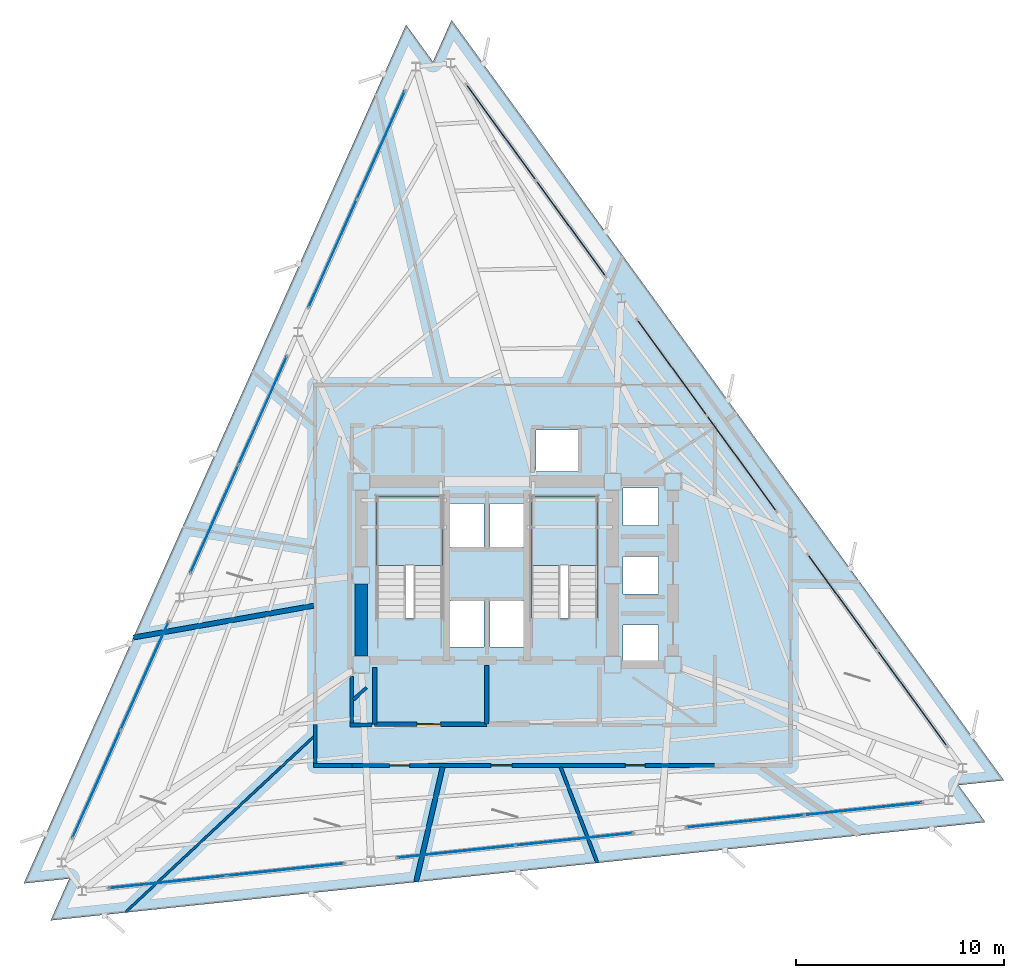
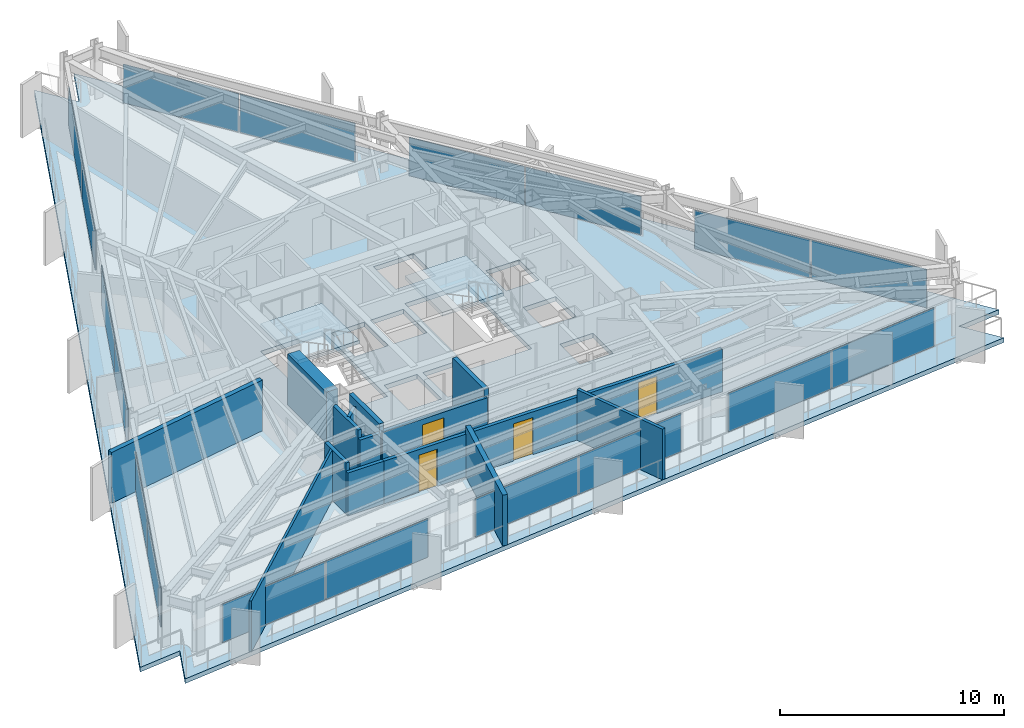
# One storey, part 7 of 12: 18 plates, 14 walls, 4 doors, 3 slabs, 4 openings, 11 elements without a shape of their own.
"""IFC4 building model written with IfcOpenShell, lengths in metres."""

from ifc_helpers import new_model, si_unit, direction, frame, frame_2d, origin, origin_2d, place, context, subcontext, project, spatial, polyline, rectangle, outline, extrude, material, layer, layer_set, type_object, element, fill, aggregate, save


model = new_model("IFC4")

# Units and contexts
model_context = context("Model", 3, precision=1e-05, world=origin(), true_north=direction((0.0, 1.0)))
body_context = subcontext(model_context, "Body", "Model", "MODEL_VIEW")
ifc_project = project(units=[si_unit("LENGTHUNIT", "METRE"), si_unit("AREAUNIT", "SQUARE_METRE"), si_unit("VOLUMEUNIT", "CUBIC_METRE"), si_unit("PLANEANGLEUNIT", "RADIAN"), si_unit("MASSUNIT", "GRAM", prefix="KILO")], contexts=[model_context])

# Site, building, storey
site_placement = place(None, origin())
site = spatial("IfcSite", under=ifc_project, at=site_placement, CompositionType="ELEMENT")
building_placement = place(site_placement, origin())
building = spatial("IfcBuilding", under=site, at=building_placement, Name="Rocaltana Carrier Exchange", CompositionType="ELEMENT")
storey_placement = place(building_placement, frame((0.0, 0.0, 113.760009765625)))
storey = spatial("IfcBuildingStorey", under=building, at=storey_placement, Name="L35", CompositionType="ELEMENT", Elevation=113.760009765625)

# Curtain wall, plates
ifc_material_1 = material(Name="Aluminium 6063-T6", Category="aluminium")
ifc_layer_1 = layer(ifc_material_1, 0.14990234375)
ifc_layer_set_1 = layer_set([ifc_layer_1], Name="Aluminium 6063-T6")
curtain_wall_type = type_object("IfcCurtainWallType", Name="Mid-Tower Unitised Curtain Wall CW-03", PredefinedType="NOTDEFINED", material=ifc_layer_set_1)
curtain_wall_1_placement = place(storey_placement, origin())
curtain_wall_1 = element("IfcCurtainWall", 1, at=curtain_wall_1_placement, inside=storey, type_object=curtain_wall_type, Name="L35 CW-03 Run CW-L35-F1S1", PredefinedType="NOTDEFINED")
ifc_material_2 = material(Name="Tempered Laminated Glass", Category="glass")
ifc_layer_2 = layer(ifc_material_2, 0.0400390625)
ifc_layer_set_2 = layer_set([ifc_layer_2], Name="Tempered Laminated Glass")
plate_type = type_object("IfcPlateType", Name="CW-03 Stone-Insulated Vision Panel", PredefinedType="CURTAIN_PANEL", material=ifc_layer_set_2)
plate_1_placement = place(storey_placement, frame((20.4580078125, -5.925048828125, 0.06005859375), z_axis=(0.0, 0.0, 1.0), x_axis=(-0.587789985889, 0.809013555195, 0.0)))
plate_1 = element("IfcPlate", 2, at=plate_1_placement, type_object=plate_type, Name="CW-03 panel 1.1", PredefinedType="CURTAIN_PANEL", context=body_context, shape_type="SweptSolid", body=[
    extrude(rectangle(XDim=5.643310546875, YDim=0.0400390625, at=origin_2d()), origin(), (0.0, 0.0, 1.0), 2.097900390625),
])
plate_2_placement = place(storey_placement, frame((17.105712890625, -1.310791015625, 0.06005859375), z_axis=(0.0, 0.0, 1.0), x_axis=(-0.587789985889, 0.809013555195, 0.0)))
plate_2 = element("IfcPlate", 3, at=plate_2_placement, type_object=plate_type, Name="CW-03 panel 2.1", PredefinedType="CURTAIN_PANEL", context=body_context, shape_type="SweptSolid", body=[
    extrude(rectangle(XDim=5.643310546875, YDim=0.0400390625, at=origin_2d()), origin(), (0.0, 0.0, 1.0), 2.097900390625),
])
aggregate(curtain_wall_1, [plate_1, plate_2])

curtain_wall_2_placement = place(storey_placement, origin())
curtain_wall_2 = element("IfcCurtainWall", 4, at=curtain_wall_2_placement, inside=storey, type_object=curtain_wall_type, Name="L35 CW-03 Run CW-L35-F1S2", PredefinedType="NOTDEFINED")
plate_3_placement = place(storey_placement, frame((12.248779296875, 5.374267578125, 0.06005859375), z_axis=(0.0, 0.0, 1.0), x_axis=(-0.587789985889, 0.809013555195, 0.0)))
plate_3 = element("IfcPlate", 5, at=plate_3_placement, type_object=plate_type, Name="CW-03 panel 1.1", PredefinedType="CURTAIN_PANEL", context=body_context, shape_type="SweptSolid", body=[
    extrude(rectangle(XDim=5.643310546875, YDim=0.0400390625, at=origin_2d()), origin(), (0.0, 0.0, 1.0), 2.097900390625),
])
plate_4_placement = place(storey_placement, frame((8.896240234375, 9.98828125, 0.06005859375), z_axis=(0.0, 0.0, 1.0), x_axis=(-0.587789985889, 0.809013555195, 0.0)))
plate_4 = element("IfcPlate", 6, at=plate_4_placement, type_object=plate_type, Name="CW-03 panel 2.1", PredefinedType="CURTAIN_PANEL", context=body_context, shape_type="SweptSolid", body=[
    extrude(rectangle(XDim=5.643310546875, YDim=0.0400390625, at=origin_2d()), origin(), (0.0, 0.0, 1.0), 2.097900390625),
])
aggregate(curtain_wall_2, [plate_3, plate_4])

curtain_wall_3_placement = place(storey_placement, origin())
curtain_wall_3 = element("IfcCurtainWall", 7, at=curtain_wall_3_placement, inside=storey, type_object=curtain_wall_type, Name="L35 CW-03 Run CW-L35-F1S3", PredefinedType="NOTDEFINED")
plate_5_placement = place(storey_placement, frame((4.039306640625, 16.673583984375, 0.06005859375), z_axis=(0.0, 0.0, 1.0), x_axis=(-0.587789985889, 0.809013555195, 0.0)))
plate_5 = element("IfcPlate", 8, at=plate_5_placement, type_object=plate_type, Name="CW-03 panel 1.1", PredefinedType="CURTAIN_PANEL", context=body_context, shape_type="SweptSolid", body=[
    extrude(rectangle(XDim=5.643310546875, YDim=0.0400390625, at=origin_2d()), origin(), (0.0, 0.0, 1.0), 2.097900390625),
])
plate_6_placement = place(storey_placement, frame((0.68701171875, 21.28759765625, 0.06005859375), z_axis=(0.0, 0.0, 1.0), x_axis=(-0.587789985889, 0.809013555195, 0.0)))
plate_6 = element("IfcPlate", 9, at=plate_6_placement, type_object=plate_type, Name="CW-03 panel 2.1", PredefinedType="CURTAIN_PANEL", context=body_context, shape_type="SweptSolid", body=[
    extrude(rectangle(XDim=5.643310546875, YDim=0.0400390625, at=origin_2d()), origin(), (0.0, 0.0, 1.0), 2.097900390625),
])
aggregate(curtain_wall_3, [plate_5, plate_6])

curtain_wall_4_placement = place(storey_placement, origin())
curtain_wall_4 = element("IfcCurtainWall", 10, at=curtain_wall_4_placement, inside=storey, type_object=curtain_wall_type, Name="L35 CW-03 Run CW-L35-F2S1", PredefinedType="NOTDEFINED")
plate_7_placement = place(storey_placement, frame((-5.097900390625, 20.6796875, 0.06005859375), z_axis=(0.0, 0.0, 1.0), x_axis=(-0.406740386206, -0.913543791084, 0.0)))
plate_7 = element("IfcPlate", 11, at=plate_7_placement, type_object=plate_type, Name="CW-03 panel 1.1", PredefinedType="CURTAIN_PANEL", context=body_context, shape_type="SweptSolid", body=[
    extrude(rectangle(XDim=5.643310546875, YDim=0.0400390625, at=origin_2d()), origin(), (0.0, 0.0, 1.0), 2.097900390625),
])
plate_8_placement = place(storey_placement, frame((-7.41748046875, 15.46923828125, 0.06005859375), z_axis=(0.0, 0.0, 1.0), x_axis=(-0.406740386206, -0.913543791084, 0.0)))
plate_8 = element("IfcPlate", 12, at=plate_8_placement, type_object=plate_type, Name="CW-03 panel 2.1", PredefinedType="CURTAIN_PANEL", context=body_context, shape_type="SweptSolid", body=[
    extrude(rectangle(XDim=5.643310546875, YDim=0.0400390625, at=origin_2d()), origin(), (0.0, 0.0, 1.0), 2.097900390625),
])
aggregate(curtain_wall_4, [plate_7, plate_8])

curtain_wall_5_placement = place(storey_placement, origin())
curtain_wall_5 = element("IfcCurtainWall", 13, at=curtain_wall_5_placement, inside=storey, type_object=curtain_wall_type, Name="L35 CW-03 Run CW-L35-F2S2", PredefinedType="NOTDEFINED")
plate_9_placement = place(storey_placement, frame((-10.778564453125, 7.92041015625, 0.06005859375), z_axis=(0.0, 0.0, 1.0), x_axis=(-0.406743626669, -0.913542348315, 0.0)))
plate_9 = element("IfcPlate", 14, at=plate_9_placement, type_object=plate_type, Name="CW-03 panel 1.1", PredefinedType="CURTAIN_PANEL", context=body_context, shape_type="SweptSolid", body=[
    extrude(rectangle(XDim=5.643310546875, YDim=0.0400390625, at=origin_2d()), origin(), (0.0, 0.0, 1.0), 2.097900390625),
])
plate_10_placement = place(storey_placement, frame((-13.098388671875, 2.710205078125, 0.06005859375), z_axis=(0.0, 0.0, 1.0), x_axis=(-0.406743626669, -0.913542348315, 0.0)))
plate_10 = element("IfcPlate", 15, at=plate_10_placement, type_object=plate_type, Name="CW-03 panel 2.1", PredefinedType="CURTAIN_PANEL", context=body_context, shape_type="SweptSolid", body=[
    extrude(rectangle(XDim=5.643310546875, YDim=0.0400390625, at=origin_2d()), origin(), (0.0, 0.0, 1.0), 2.097900390625),
])
aggregate(curtain_wall_5, [plate_9, plate_10])

curtain_wall_6_placement = place(storey_placement, origin())
curtain_wall_6 = element("IfcCurtainWall", 16, at=curtain_wall_6_placement, inside=storey, type_object=curtain_wall_type, Name="L35 CW-03 Run CW-L35-F2S3", PredefinedType="NOTDEFINED")
plate_11_placement = place(storey_placement, frame((-16.45947265625, -4.838623046875, 0.06005859375), z_axis=(0.0, 0.0, 1.0), x_axis=(-0.406733108077, -0.913547031517, 0.0)))
plate_11 = element("IfcPlate", 17, at=plate_11_placement, type_object=plate_type, Name="CW-03 panel 1.1", PredefinedType="CURTAIN_PANEL", context=body_context, shape_type="SweptSolid", body=[
    extrude(rectangle(XDim=5.643310546875, YDim=0.0400390625, at=origin_2d()), origin(), (0.0, 0.0, 1.0), 2.097900390625),
])
plate_12_placement = place(storey_placement, frame((-18.779052734375, -10.048828125, 0.06005859375), z_axis=(0.0, 0.0, 1.0), x_axis=(-0.406733108077, -0.913547031517, 0.0)))
plate_12 = element("IfcPlate", 18, at=plate_12_placement, type_object=plate_type, Name="CW-03 panel 2.1", PredefinedType="CURTAIN_PANEL", context=body_context, shape_type="SweptSolid", body=[
    extrude(rectangle(XDim=5.643310546875, YDim=0.0400390625, at=origin_2d()), origin(), (0.0, 0.0, 1.0), 2.097900390625),
])
aggregate(curtain_wall_6, [plate_11, plate_12])

curtain_wall_7_placement = place(storey_placement, origin())
curtain_wall_7 = element("IfcCurtainWall", 19, at=curtain_wall_7_placement, inside=storey, type_object=curtain_wall_type, Name="L35 CW-03 Run CW-L35-F3S1", PredefinedType="NOTDEFINED")
plate_13_placement = place(storey_placement, frame((-15.360107421875, -14.754638671875, 0.06005859375), z_axis=(0.0, 0.0, 1.0), x_axis=(0.994522594952, 0.104521806959, 0.0)))
plate_13 = element("IfcPlate", 20, at=plate_13_placement, type_object=plate_type, Name="CW-03 panel 1.1", PredefinedType="CURTAIN_PANEL", context=body_context, shape_type="SweptSolid", body=[
    extrude(rectangle(XDim=5.643310546875, YDim=0.0400390625, at=origin_2d()), origin(), (0.0, 0.0, 1.0), 2.097900390625),
])
plate_14_placement = place(storey_placement, frame((-9.688232421875, -14.15869140625, 0.06005859375), z_axis=(0.0, 0.0, 1.0), x_axis=(0.994522594952, 0.104521806959, 0.0)))
plate_14 = element("IfcPlate", 21, at=plate_14_placement, type_object=plate_type, Name="CW-03 panel 2.1", PredefinedType="CURTAIN_PANEL", context=body_context, shape_type="SweptSolid", body=[
    extrude(rectangle(XDim=5.643310546875, YDim=0.0400390625, at=origin_2d()), origin(), (0.0, 0.0, 1.0), 2.097900390625),
])
aggregate(curtain_wall_7, [plate_13, plate_14])

curtain_wall_8_placement = place(storey_placement, origin())
curtain_wall_8 = element("IfcCurtainWall", 22, at=curtain_wall_8_placement, inside=storey, type_object=curtain_wall_type, Name="L35 CW-03 Run CW-L35-F3S2", PredefinedType="NOTDEFINED")
plate_15_placement = place(storey_placement, frame((-1.469970703125, -13.294677734375, 0.06005859375), z_axis=(0.0, 0.0, 1.0), x_axis=(0.994521783658, 0.104529526113, 0.0)))
plate_15 = element("IfcPlate", 23, at=plate_15_placement, type_object=plate_type, Name="CW-03 panel 1.1", PredefinedType="CURTAIN_PANEL", context=body_context, shape_type="SweptSolid", body=[
    extrude(rectangle(XDim=5.643310546875, YDim=0.0400390625, at=origin_2d()), origin(), (0.0, 0.0, 1.0), 2.097900390625),
])
plate_16_placement = place(storey_placement, frame((4.2021484375, -12.69873046875, 0.06005859375), z_axis=(0.0, 0.0, 1.0), x_axis=(0.994521783658, 0.104529526113, 0.0)))
plate_16 = element("IfcPlate", 24, at=plate_16_placement, type_object=plate_type, Name="CW-03 panel 2.1", PredefinedType="CURTAIN_PANEL", context=body_context, shape_type="SweptSolid", body=[
    extrude(rectangle(XDim=5.643310546875, YDim=0.0400390625, at=origin_2d()), origin(), (0.0, 0.0, 1.0), 2.097900390625),
])
aggregate(curtain_wall_8, [plate_15, plate_16])

curtain_wall_9_placement = place(storey_placement, origin())
curtain_wall_9 = element("IfcCurtainWall", 25, at=curtain_wall_9_placement, inside=storey, type_object=curtain_wall_type, Name="L35 CW-03 Run CW-L35-F3S3", PredefinedType="NOTDEFINED")
plate_17_placement = place(storey_placement, frame((12.420166015625, -11.834716796875, 0.06005859375), z_axis=(0.0, 0.0, 1.0), x_axis=(0.994522594952, 0.104521806959, 0.0)))
plate_17 = element("IfcPlate", 26, at=plate_17_placement, type_object=plate_type, Name="CW-03 panel 1.1", PredefinedType="CURTAIN_PANEL", context=body_context, shape_type="SweptSolid", body=[
    extrude(rectangle(XDim=5.643310546875, YDim=0.0400390625, at=origin_2d()), origin(), (0.0, 0.0, 1.0), 2.097900390625),
])
plate_18_placement = place(storey_placement, frame((18.092041015625, -11.23876953125, 0.06005859375), z_axis=(0.0, 0.0, 1.0), x_axis=(0.994522594952, 0.104521806959, 0.0)))
plate_18 = element("IfcPlate", 27, at=plate_18_placement, type_object=plate_type, Name="CW-03 panel 2.1", PredefinedType="CURTAIN_PANEL", context=body_context, shape_type="SweptSolid", body=[
    extrude(rectangle(XDim=5.643310546875, YDim=0.0400390625, at=origin_2d()), origin(), (0.0, 0.0, 1.0), 2.097900390625),
])
aggregate(curtain_wall_9, [plate_17, plate_18])

# Slab
ifc_material_3 = material(Name="Concrete C50/60", Category="concrete")
ifc_layer_3 = layer(ifc_material_3, 0.25)
ifc_layer_set_3 = layer_set([ifc_layer_3], Name="Concrete C50/60")
slab_type_1 = type_object("IfcSlabType", Name="Mid-Zone Tower Slab 250", PredefinedType="FLOOR", material=ifc_layer_set_3)
slab_1_placement = place(storey_placement, frame((0.0, 0.0, -0.25)))
element("IfcSlab", 28, at=slab_1_placement, inside=storey, type_object=slab_type_1, Name="L35 Structural Floor Slab", PredefinedType="FLOOR", context=body_context, shape_type="SweptSolid", body=[
    extrude(outline(polyline([(23.972900390625, -11.87744140625), (22.6796875, -10.09765625), (24.86767578125, -9.86767578125), (-1.7001953125, 26.699951171875), (-2.594970703125, 24.690185546875), (-3.88818359375, 26.469970703125), (-22.272705078125, -14.822509765625), (-20.084716796875, -14.59228515625), (-20.9794921875, -16.602294921875), (23.972900390625, -11.87744140625)]), holes=[polyline([(-5.300048828125, -2.06005859375), (-2.139892578125, -2.06005859375), (-2.139892578125, 3.800048828125), (-5.300048828125, 3.800048828125), (-5.300048828125, -2.06005859375)]), polyline([(2.139892578125, -2.06005859375), (5.300048828125, -2.06005859375), (5.300048828125, 3.800048828125), (2.139892578125, 3.800048828125), (2.139892578125, -2.06005859375)]), polyline([(-1.85009765625, -3.449951171875), (-0.14990234375, -3.449951171875), (-0.14990234375, -1.25), (-1.85009765625, -1.25), (-1.85009765625, -3.449951171875)]), polyline([(0.14990234375, -3.449951171875), (1.85009765625, -3.449951171875), (1.85009765625, -1.25), (0.14990234375, -1.25), (0.14990234375, -3.449951171875)]), polyline([(2.35009765625, 4.97998046875), (4.39990234375, 4.97998046875), (4.39990234375, 6.97998046875), (2.35009765625, 6.97998046875), (2.35009765625, 4.97998046875)]), polyline([(-1.85009765625, 1.35009765625), (-0.14990234375, 1.35009765625), (-0.14990234375, 3.449951171875), (-1.85009765625, 3.449951171875), (-1.85009765625, 1.35009765625)]), polyline([(0.14990234375, 1.35009765625), (1.85009765625, 1.35009765625), (1.85009765625, 3.449951171875), (0.14990234375, 3.449951171875), (0.14990234375, 1.35009765625)]), polyline([(6.550048828125, -4.199951171875), (8.25, -4.199951171875), (8.25, -2.39990234375), (6.550048828125, -2.39990234375), (6.550048828125, -4.199951171875)]), polyline([(6.550048828125, -0.89990234375), (8.25, -0.89990234375), (8.25, 0.89990234375), (6.550048828125, 0.89990234375), (6.550048828125, -0.89990234375)]), polyline([(6.550048828125, 2.39990234375), (8.25, 2.39990234375), (8.25, 4.199951171875), (6.550048828125, 4.199951171875), (6.550048828125, 2.39990234375)])]), origin(), (0.0, 0.0, 1.0), 0.25),
])

# Stair, slab
ifc_material_4 = material(Name="Precast concrete C45/55", Category="concrete")
stair_type = type_object("IfcStairType", Name="Standard Dog-Leg Stair 160", PredefinedType="HALF_TURN_STAIR", material=ifc_material_4)
stair_1_placement = place(storey_placement, origin())
stair_1 = element("IfcStair", 29, at=stair_1_placement, inside=storey, type_object=stair_type, Name="L35 Core West Exit Stair ST-1", PredefinedType="HALF_TURN_STAIR")
ifc_material_5 = material(Name="Precast concrete C45/55", Category="concrete")
ifc_layer_4 = layer(ifc_material_5, 0.199951171875)
ifc_layer_set_4 = layer_set([ifc_layer_4], Name="Precast concrete C45/55")
slab_type_2 = type_object("IfcSlabType", Name="Precast Stair Half-Landing 200", PredefinedType="LANDING", material=ifc_layer_set_4)
slab_2_placement = place(storey_placement, frame((0.0, 0.0, 1.320068359375)))
slab_2 = element("IfcSlab", 30, at=slab_2_placement, type_object=slab_type_2, Name="ST-1 landing 1", PredefinedType="LANDING", context=body_context, shape_type="SweptSolid", body=[
    extrude(outline(polyline([(-2.139892578125, 0.4599609375), (-2.139892578125, 3.800048828125), (-5.300048828125, 3.800048828125), (-5.300048828125, 0.4599609375), (-2.139892578125, 0.4599609375)])), origin(), (0.0, 0.0, 1.0), 0.199951171875),
])
aggregate(stair_1, [slab_2])

stair_2_placement = place(storey_placement, origin())
stair_2 = element("IfcStair", 31, at=stair_2_placement, inside=storey, type_object=stair_type, Name="L35 Core East Exit Stair ST-2", PredefinedType="HALF_TURN_STAIR")
slab_3_placement = place(storey_placement, frame((0.0, 0.0, 1.320068359375)))
slab_3 = element("IfcSlab", 32, at=slab_3_placement, type_object=slab_type_2, Name="ST-2 landing 1", PredefinedType="LANDING", context=body_context, shape_type="SweptSolid", body=[
    extrude(outline(polyline([(5.300048828125, 0.4599609375), (5.300048828125, 3.800048828125), (2.139892578125, 3.800048828125), (2.139892578125, 0.4599609375), (5.300048828125, 0.4599609375)])), origin(), (0.0, 0.0, 1.0), 0.199951171875),
])
aggregate(stair_2, [slab_3])

# Walls
ifc_material_6 = material(Name="Double Acoustic Gypsum Partition", Category="gypsum")
ifc_layer_5 = layer(ifc_material_6, 0.159912109375)
ifc_layer_set_5 = layer_set([ifc_layer_5], Name="Double Acoustic Gypsum Partition")
wall_type_1 = type_object("IfcWallType", Name="Acoustic Studio Partition 160 EI60", PredefinedType="PARTITIONING", material=ifc_layer_set_5)
wall_1_placement = place(storey_placement, frame((-5.800048828125, -5.40869140625, 0.0), z_axis=(0.0, 0.0, 1.0), x_axis=(-0.731304251281, -0.682051385204, 0.0)))
element("IfcWall", 33, at=wall_1_placement, inside=storey, type_object=wall_type_1, Name="L35 Suite Divider Wall D2", PredefinedType="PARTITIONING", context=body_context, shape_type="SweptSolid", body=[
    extrude(rectangle(XDim=0.84765625, YDim=0.159912109375, at=frame_2d((0.423828125, 0.0))), origin(), (0.0, 0.0, 1.0), 2.762939453125),
])
wall_2_placement = place(storey_placement, frame((3.543212890625, -9.22998046875, 0.0), z_axis=(0.0, 0.0, 1.0), x_axis=(0.358357985043, -0.93358425145, 0.0)))
element("IfcWall", 34, at=wall_2_placement, inside=storey, type_object=wall_type_1, Name="L35 Suite Divider Wall D5", PredefinedType="PARTITIONING", context=body_context, shape_type="SweptSolid", body=[
    extrude(rectangle(XDim=4.92626953125, YDim=0.159912109375, at=frame_2d((2.463134765625, 0.0))), origin(), (0.0, 0.0, 1.0), 2.762939453125),
])
ifc_material_7 = material(Name="Concrete C50/60", Category="concrete")
ifc_layer_6 = layer(ifc_material_7, 0.60009765625)
ifc_layer_set_6 = layer_set([ifc_layer_6], Name="Concrete C50/60")
wall_type_2 = type_object("IfcWallType", Name="Core Shear Wall 600", PredefinedType="SHEAR", material=ifc_layer_set_6)
wall_3_placement = place(storey_placement, frame((-6.050048828125, -3.875, 0.0), z_axis=(0.0, 0.0, 1.0), x_axis=(0.0, 1.0, 0.0)))
element("IfcWall", 35, at=wall_3_placement, inside=storey, type_object=wall_type_2, Name="L35 Core Shear Wall CW-WS", PredefinedType="SHEAR", context=body_context, shape_type="SweptSolid", body=[
    extrude(rectangle(XDim=3.449951171875, YDim=0.60009765625, at=frame_2d((1.72509765625, 0.0))), origin(), (0.0, 0.0, 1.0), 2.7880859375),
])
ifc_material_8 = material(Name="Gypsum & Steel Stud Partition", Category="steel")
ifc_layer_7 = layer(ifc_material_8, 0.179931640625)
ifc_layer_set_7 = layer_set([ifc_layer_7], Name="Gypsum & Steel Stud Partition")
wall_type_3 = type_object("IfcWallType", Name="Corridor Fire Partition 180 EI60", PredefinedType="PARTITIONING", material=ifc_layer_set_7)
wall_4_placement = place(storey_placement, frame((-6.47998046875, -9.14990234375, 0.0), z_axis=(0.0, 0.0, 1.0), x_axis=(-1.0, 0.0, 0.0)))
element("IfcWall", 36, at=wall_4_placement, inside=storey, type_object=wall_type_3, Name="L35 Corridor Partition 1", PredefinedType="PARTITIONING", context=body_context, shape_type="SweptSolid", body=[
    extrude(rectangle(XDim=1.860107421875, YDim=0.179931640625, at=frame_2d((0.93017578125, 0.0))), origin(), (0.0, 0.0, 1.0), 2.330078125),
])
wall_5_placement = place(storey_placement, frame((-8.25, -9.06005859375, 0.0), z_axis=(0.0, 0.0, 1.0), x_axis=(0.0, 1.0, 0.0)))
element("IfcWall", 37, at=wall_5_placement, inside=storey, type_object=wall_type_3, Name="L35 Corridor Partition 2", PredefinedType="PARTITIONING", context=body_context, shape_type="SweptSolid", body=[
    extrude(rectangle(XDim=1.880126953125, YDim=0.179931640625, at=frame_2d((0.93994140625, 0.0))), origin(), (0.0, 0.0, 1.0), 2.762939453125),
])

# Wall, openings, doors
wall_6_placement = place(storey_placement, frame((10.97998046875, -9.14990234375, 0.0), z_axis=(0.0, 0.0, 1.0), x_axis=(-1.0, 0.0, 0.0)))
wall_6 = element("IfcWall", 38, at=wall_6_placement, inside=storey, type_object=wall_type_3, Name="L35 Corridor Partition 11", PredefinedType="PARTITIONING", context=body_context, shape_type="SweptSolid", body=[
    extrude(rectangle(XDim=17.5, YDim=0.179931640625, at=frame_2d((8.75, 0.0))), origin(), (0.0, 0.0, 1.0), 2.330078125),
])
opening_1_placement = place(wall_6_placement, frame((14.6962890625, 0.0, 0.0)))
opening_1 = element("IfcOpeningElement", 39, at=opening_1_placement, cuts=wall_6, Name="Opening D-RM098", PredefinedType="OPENING", context=body_context, shape_type="SweptSolid", body=[
    extrude(rectangle(XDim=0.9599609375, YDim=2.02001953125, at=frame_2d((0.47998046875, 1.010009765625))), frame((0.0, 0.099853515625, 0.0), z_axis=(0.0, -1.0, 0.0), x_axis=(1.0, 0.0, 0.0)), (0.0, 0.0, 1.0), 0.199951171875),
])
opening_2_placement = place(wall_6_placement, frame((9.763916015625, 0.0, 0.0)))
opening_2 = element("IfcOpeningElement", 40, at=opening_2_placement, cuts=wall_6, Name="Opening D-LB104", PredefinedType="OPENING", context=body_context, shape_type="SweptSolid", body=[
    extrude(rectangle(XDim=1.02001953125, YDim=2.02001953125, at=frame_2d((0.510009765625, 1.010009765625))), frame((0.0, 0.099853515625, 0.0), z_axis=(0.0, -1.0, 0.0), x_axis=(1.0, 0.0, 0.0)), (0.0, 0.0, 1.0), 0.199951171875),
])
opening_3_placement = place(wall_6_placement, frame((3.365966796875, 0.0, 0.0)))
opening_3 = element("IfcOpeningElement", 41, at=opening_3_placement, cuts=wall_6, Name="Opening D-RM098", PredefinedType="OPENING", context=body_context, shape_type="SweptSolid", body=[
    extrude(rectangle(XDim=0.9599609375, YDim=2.02001953125, at=frame_2d((0.47998046875, 1.010009765625))), frame((0.0, 0.099853515625, 0.0), z_axis=(0.0, -1.0, 0.0), x_axis=(1.0, 0.0, 0.0)), (0.0, 0.0, 1.0), 0.199951171875),
])
ifc_material_9 = material(Name="Powder-Coated Aluminium 6063-T6", Category="aluminium")
door_type_1 = type_object("IfcDoorType", Name="Laboratory Acoustic Door 1020x2020", OperationType="NOTDEFINED", PredefinedType="DOOR", material=ifc_material_9)
door_1_placement = place(opening_2_placement, origin())
door_1 = element("IfcDoor", 42, at=door_1_placement, inside=storey, type_object=door_type_1, Name="L35 Optical Switching Laboratory Entrance Door", OperationType="SINGLE_SWING_LEFT", OverallHeight=2.02001953125, OverallWidth=1.02001953125, PredefinedType="DOOR", context=body_context, shape_type="SweptSolid", body=[
    extrude(rectangle(XDim=1.02001953125, YDim=2.02001953125, at=frame_2d((0.510009765625, 1.010009765625))), frame((0.0, 0.02490234375, 0.0), z_axis=(0.0, -1.0, 0.0), x_axis=(1.0, 0.0, 0.0)), (0.0, 0.0, 1.0), 0.050048828125),
])
fill(opening_2, door_1)
ifc_material_10 = material(Name="Engineered Hardwood Timber", Category="wood")
door_type_2 = type_object("IfcDoorType", Name="Workspace Single Door 960x2020", OperationType="NOTDEFINED", PredefinedType="DOOR", material=ifc_material_10)
door_2_placement = place(opening_1_placement, origin())
door_2 = element("IfcDoor", 43, at=door_2_placement, inside=storey, type_object=door_type_2, Name="L35 Peering Conference Room Entrance Door", OperationType="SINGLE_SWING_RIGHT", OverallHeight=2.02001953125, OverallWidth=0.9599609375, PredefinedType="DOOR", context=body_context, shape_type="SweptSolid", body=[
    extrude(rectangle(XDim=0.9599609375, YDim=2.02001953125, at=frame_2d((0.47998046875, 1.010009765625))), frame((0.0, 0.02490234375, 0.0), z_axis=(0.0, -1.0, 0.0), x_axis=(1.0, 0.0, 0.0)), (0.0, 0.0, 1.0), 0.050048828125),
])
fill(opening_1, door_2)
door_3_placement = place(opening_3_placement, origin())
door_3 = element("IfcDoor", 44, at=door_3_placement, inside=storey, type_object=door_type_2, Name="L35 Executive Peering Boardroom Entrance Door", OperationType="SINGLE_SWING_RIGHT", OverallHeight=2.02001953125, OverallWidth=0.9599609375, PredefinedType="DOOR", context=body_context, shape_type="SweptSolid", body=[
    extrude(rectangle(XDim=0.9599609375, YDim=2.02001953125, at=frame_2d((0.47998046875, 1.010009765625))), frame((0.0, 0.02490234375, 0.0), z_axis=(0.0, -1.0, 0.0), x_axis=(1.0, 0.0, 0.0)), (0.0, 0.0, 1.0), 0.050048828125),
])
fill(opening_3, door_3)

# Walls
wall_7_placement = place(storey_placement, frame((-6.5, -4.8798828125, 0.0), z_axis=(0.0, 0.0, 1.0), x_axis=(0.0, -1.0, 0.0)))
element("IfcWall", 45, at=wall_7_placement, inside=storey, type_object=wall_type_3, Name="L35 Corridor Partition 19", PredefinedType="PARTITIONING", context=body_context, shape_type="SweptSolid", body=[
    extrude(rectangle(XDim=2.230224609375, YDim=0.179931640625, at=frame_2d((1.115234375, 0.0))), origin(), (0.0, 0.0, 1.0), 2.762939453125),
])
wall_8_placement = place(storey_placement, frame((-6.590087890625, -7.199951171875, 0.0), z_axis=(0.0, 0.0, 1.0), x_axis=(1.0, 0.0, 0.0)))
element("IfcWall", 46, at=wall_8_placement, inside=storey, type_object=wall_type_3, Name="L35 Corridor Partition 20", PredefinedType="PARTITIONING", context=body_context, shape_type="SweptSolid", body=[
    extrude(rectangle(XDim=1.06005859375, YDim=0.179931640625, at=frame_2d((0.530029296875, 0.0))), origin(), (0.0, 0.0, 1.0), 2.330078125),
])
ifc_material_11 = material(Name="Aluminium 6063-T6 & Acoustic Glass", Category="aluminium")
ifc_layer_8 = layer(ifc_material_11, 0.114990234375)
ifc_layer_set_8 = layer_set([ifc_layer_8], Name="Aluminium 6063-T6 & Acoustic Glass")
wall_type_4 = type_object("IfcWallType", Name="Demountable Glazed Lab Partition 115", PredefinedType="MOVABLE", material=ifc_layer_set_8)
wall_9_placement = place(storey_placement, frame((-8.330078125, -7.767822265625, 0.0), z_axis=(0.0, 0.0, 1.0), x_axis=(-0.731355419522, -0.681996517833, 0.0)))
element("IfcWall", 47, at=wall_9_placement, inside=storey, type_object=wall_type_4, Name="L35 Suite Divider Wall D3", PredefinedType="MOVABLE", context=body_context, shape_type="SweptSolid", body=[
    extrude(rectangle(XDim=12.38525390625, YDim=0.114990234375, at=frame_2d((6.192626953125, 0.0))), origin(), (0.0, 0.0, 1.0), 2.762939453125),
])
ifc_material_12 = material(Name="Autoclaved Aerated Concrete C30/37", Category="concrete")
ifc_layer_9 = layer(ifc_material_12, 0.219970703125)
ifc_layer_set_9 = layer_set([ifc_layer_9], Name="Autoclaved Aerated Concrete C30/37")
wall_type_5 = type_object("IfcWallType", Name="Firefighting Lobby Wall 220 EI120", PredefinedType="PARTITIONING", material=ifc_layer_set_9)
wall_10_placement = place(storey_placement, frame((-5.39990234375, -7.159912109375, 0.0), z_axis=(0.0, 0.0, 1.0), x_axis=(0.0, 1.0, 0.0)))
element("IfcWall", 48, at=wall_10_placement, inside=storey, type_object=wall_type_5, Name="L35 FFL Lobby 1 West Wall", PredefinedType="PARTITIONING", context=body_context, shape_type="SweptSolid", body=[
    extrude(rectangle(XDim=2.7099609375, YDim=0.219970703125, at=frame_2d((1.35498046875, 0.0))), origin(), (0.0, 0.0, 1.0), 2.762939453125),
])
wall_11_placement = place(storey_placement, frame((0.0, -7.159912109375, 0.0), z_axis=(0.0, 0.0, 1.0), x_axis=(0.0, 1.0, 0.0)))
element("IfcWall", 49, at=wall_11_placement, inside=storey, type_object=wall_type_5, Name="L35 FFL Lobby Centre Wall", PredefinedType="PARTITIONING", context=body_context, shape_type="SweptSolid", body=[
    extrude(rectangle(XDim=2.809814453125, YDim=0.219970703125, at=frame_2d((1.40478515625, 0.0))), origin(), (0.0, 0.0, 1.0), 2.762939453125),
])

# Wall, opening, door
wall_12_placement = place(storey_placement, frame((-5.39990234375, -7.159912109375, 0.0), z_axis=(0.0, 0.0, 1.0), x_axis=(1.0, 0.0, 0.0)))
wall_12 = element("IfcWall", 50, at=wall_12_placement, inside=storey, type_object=wall_type_5, Name="L35 FFL Lobby 1 South Wall", PredefinedType="PARTITIONING", context=body_context, shape_type="SweptSolid", body=[
    extrude(rectangle(XDim=5.39990234375, YDim=0.219970703125, at=frame_2d((2.699951171875, 0.0))), origin(), (0.0, 0.0, 1.0), 2.330078125),
])
opening_4_placement = place(wall_12_placement, frame((2.050048828125, 0.0, 0.0)))
opening_4 = element("IfcOpeningElement", 51, at=opening_4_placement, cuts=wall_12, Name="Opening D-FF115", PredefinedType="OPENING", context=body_context, shape_type="SweptSolid", body=[
    extrude(rectangle(XDim=1.1201171875, YDim=2.02001953125, at=frame_2d((0.56005859375, 1.010009765625))), frame((0.0, 0.119873046875, 0.0), z_axis=(0.0, -1.0, 0.0), x_axis=(1.0, 0.0, 0.0)), (0.0, 0.0, 1.0), 0.239990234375),
])
ifc_material_13 = material(Name="Hollow Metal Fire Door Assembly", Category="steel")
door_type_3 = type_object("IfcDoorType", Name="Firefighting Lobby Door 1120x2020 FD60S", OperationType="NOTDEFINED", PredefinedType="DOOR", material=ifc_material_13)
door_4_placement = place(opening_4_placement, origin())
door_4 = element("IfcDoor", 52, at=door_4_placement, inside=storey, type_object=door_type_3, Name="L35 Firefighting Lift Lobby 1 Door", OperationType="SINGLE_SWING_LEFT", OverallHeight=2.02001953125, OverallWidth=1.1201171875, PredefinedType="DOOR", context=body_context, shape_type="SweptSolid", body=[
    extrude(rectangle(XDim=1.1201171875, YDim=2.02001953125, at=frame_2d((0.56005859375, 1.010009765625))), frame((0.0, 0.02490234375, 0.0), z_axis=(0.0, -1.0, 0.0), x_axis=(1.0, 0.0, 0.0)), (0.0, 0.0, 1.0), 0.050048828125),
])
fill(opening_4, door_4)

# Walls
ifc_material_14 = material(Name="Acoustic Calcium Silicate Partition", Category="gypsum")
ifc_layer_10 = layer(ifc_material_14, 0.239990234375)
ifc_layer_set_10 = layer_set([ifc_layer_10], Name="Acoustic Calcium Silicate Partition")
wall_type_6 = type_object("IfcWallType", Name="Heavy Lab Partition 240 EI90", PredefinedType="PARTITIONING", material=ifc_layer_set_10)
wall_13_placement = place(storey_placement, frame((-8.330078125, -1.46875, 0.0), z_axis=(0.0, 0.0, 1.0), x_axis=(-0.984804219106, -0.173668218255, 0.0)))
element("IfcWall", 53, at=wall_13_placement, inside=storey, type_object=wall_type_6, Name="L35 Suite Divider Wall D1", PredefinedType="PARTITIONING", context=body_context, shape_type="SweptSolid", body=[
    extrude(rectangle(XDim=8.80029296875, YDim=0.239990234375, at=frame_2d((4.400146484375, 0.0))), origin(), (0.0, 0.0, 1.0), 2.762939453125),
])
wall_14_placement = place(storey_placement, frame((-2.130859375, -9.22998046875, 0.0), z_axis=(0.0, 0.0, 1.0), x_axis=(-0.224947713915, -0.974370835978, 0.0)))
element("IfcWall", 54, at=wall_14_placement, inside=storey, type_object=wall_type_6, Name="L35 Suite Divider Wall D4", PredefinedType="PARTITIONING", context=body_context, shape_type="SweptSolid", body=[
    extrude(rectangle(XDim=5.659912109375, YDim=0.239990234375, at=frame_2d((2.830078125, 0.0))), origin(), (0.0, 0.0, 1.0), 2.762939453125),
])

save(model, "model.ifc")
